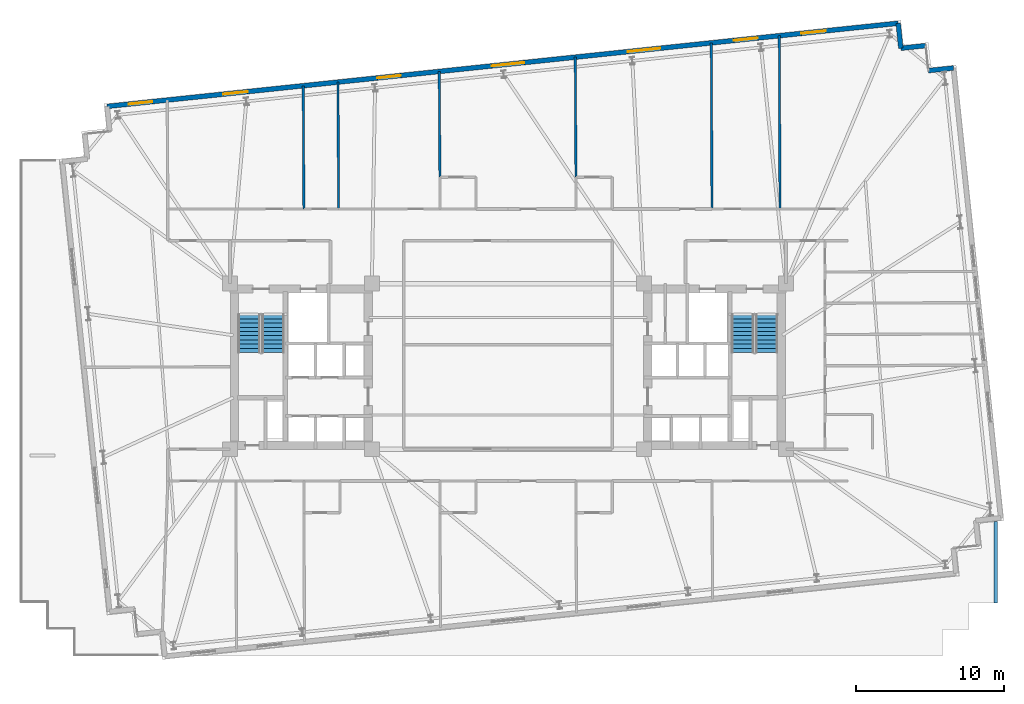
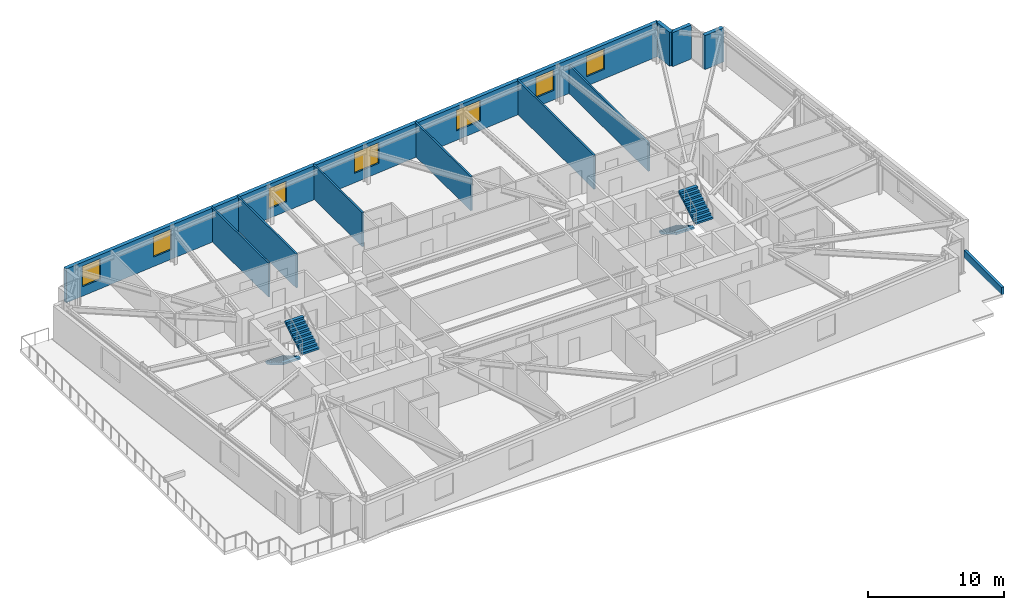
# One storey, part 16 of 20: 11 walls, 7 windows, 4 stair flights, 7 openings, 2 elements without a shape of their own.
"""IFC4 building model written with IfcOpenShell, lengths in metres."""

from ifc_helpers import new_model, si_unit, direction, frame, frame_2d, origin, place, context, subcontext, project, spatial, polyline, rectangle, outline, extrude, material, layer, layer_set, type_object, element, fill, aggregate, save


model = new_model("IFC4")

# Units and contexts
model_context = context("Model", 3, precision=1e-05, world=origin(), true_north=direction((0.0, 1.0)))
body_context = subcontext(model_context, "Body", "Model", "MODEL_VIEW")
ifc_project = project(units=[si_unit("LENGTHUNIT", "METRE"), si_unit("AREAUNIT", "SQUARE_METRE"), si_unit("VOLUMEUNIT", "CUBIC_METRE"), si_unit("PLANEANGLEUNIT", "RADIAN"), si_unit("MASSUNIT", "GRAM", prefix="KILO")], contexts=[model_context])

# Site, building, storey
site_placement = place(None, origin())
site = spatial("IfcSite", under=ifc_project, at=site_placement, CompositionType="ELEMENT")
building_placement = place(site_placement, origin())
building = spatial("IfcBuilding", under=site, at=building_placement, Name="Qobustan Lattice House", CompositionType="ELEMENT")
storey_placement = place(building_placement, frame((0.0, 0.0, 79.0)))
storey = spatial("IfcBuildingStorey", under=building, at=storey_placement, Name="L21", CompositionType="ELEMENT", Elevation=79.0)

# Wall, openings, windows
ifc_material_1 = material(Name="Precast concrete C40/50", Category="concrete")
ifc_layer_1 = layer(ifc_material_1, 0.320068359375)
ifc_layer_set_1 = layer_set([ifc_layer_1], Name="Precast concrete C40/50")
wall_type_1 = type_object("IfcWallType", Name="WAL-EXT-STONE-320", PredefinedType="SOLIDWALL", material=ifc_layer_set_1)
wall_1_placement = place(storey_placement, frame((-27.107421875, 17.585693359375, 0.0), z_axis=(0.0, 0.0, 1.0), x_axis=(0.994521628355, 0.104531003701, 0.0)))
wall_1 = element("IfcWall", 1, at=wall_1_placement, inside=storey, type_object=wall_type_1, Name="L21 exterior limestone-clad wall 10", PredefinedType="SOLIDWALL", context=body_context, shape_type="SweptSolid", body=[
    extrude(rectangle(XDim=53.800048828125, YDim=0.320068359375, at=frame_2d((26.89990234375, 0.0))), origin(), (0.0, 0.0, 1.0), 3.044921875),
])
opening_1_placement = place(wall_1_placement, frame((1.481689453125, 0.0, 0.85009765625)))
opening_1 = element("IfcOpeningElement", 2, at=opening_1_placement, cuts=wall_1, Name="Opening WN-13", PredefinedType="OPENING", context=body_context, shape_type="SweptSolid", body=[
    extrude(rectangle(XDim=1.60009765625, YDim=1.85009765625, at=frame_2d((0.800048828125, 0.925048828125))), frame((0.0, 0.169921875, 0.0), z_axis=(0.0, -1.0, 0.0), x_axis=(1.0, 0.0, 0.0)), (0.0, 0.0, 1.0), 0.340087890625),
])
opening_2_placement = place(wall_1_placement, frame((7.901611328125, 0.0, 0.85009765625)))
opening_2 = element("IfcOpeningElement", 3, at=opening_2_placement, cuts=wall_1, Name="Opening WN-09", PredefinedType="OPENING", context=body_context, shape_type="SweptSolid", body=[
    extrude(rectangle(XDim=1.64990234375, YDim=1.85009765625, at=frame_2d((0.824951171875, 0.925048828125))), frame((0.0, 0.169921875, 0.0), z_axis=(0.0, -1.0, 0.0), x_axis=(1.0, 0.0, 0.0)), (0.0, 0.0, 1.0), 0.340087890625),
])
opening_3_placement = place(wall_1_placement, frame((18.374267578125, 0.0, 0.85009765625)))
opening_3 = element("IfcOpeningElement", 4, at=opening_3_placement, cuts=wall_1, Name="Opening WN-13", PredefinedType="OPENING", context=body_context, shape_type="SweptSolid", body=[
    extrude(rectangle(XDim=1.60009765625, YDim=1.85009765625, at=frame_2d((0.800048828125, 0.925048828125))), frame((0.0, 0.169921875, 0.0), z_axis=(0.0, -1.0, 0.0), x_axis=(1.0, 0.0, 0.0)), (0.0, 0.0, 1.0), 0.340087890625),
])
opening_4_placement = place(wall_1_placement, frame((26.160400390625, 0.0, 0.85009765625)))
opening_4 = element("IfcOpeningElement", 5, at=opening_4_placement, cuts=wall_1, Name="Opening WN-03", PredefinedType="OPENING", context=body_context, shape_type="SweptSolid", body=[
    extrude(rectangle(XDim=2.199951171875, YDim=1.85009765625, at=frame_2d((1.10009765625, 0.925048828125))), frame((0.0, 0.169921875, 0.0), z_axis=(0.0, -1.0, 0.0), x_axis=(1.0, 0.0, 0.0)), (0.0, 0.0, 1.0), 0.340087890625),
])
opening_5_placement = place(wall_1_placement, frame((35.4072265625, 0.0, 0.85009765625)))
opening_5 = element("IfcOpeningElement", 6, at=opening_5_placement, cuts=wall_1, Name="Opening WN-03", PredefinedType="OPENING", context=body_context, shape_type="SweptSolid", body=[
    extrude(rectangle(XDim=2.199951171875, YDim=1.85009765625, at=frame_2d((1.10009765625, 0.925048828125))), frame((0.0, 0.169921875, 0.0), z_axis=(0.0, -1.0, 0.0), x_axis=(1.0, 0.0, 0.0)), (0.0, 0.0, 1.0), 0.340087890625),
])
opening_6_placement = place(wall_1_placement, frame((42.607421875, 0.0, 0.85009765625)))
opening_6 = element("IfcOpeningElement", 7, at=opening_6_placement, cuts=wall_1, Name="Opening WN-09", PredefinedType="OPENING", context=body_context, shape_type="SweptSolid", body=[
    extrude(rectangle(XDim=1.64990234375, YDim=1.85009765625, at=frame_2d((0.824951171875, 0.925048828125))), frame((0.0, 0.169921875, 0.0), z_axis=(0.0, -1.0, 0.0), x_axis=(1.0, 0.0, 0.0)), (0.0, 0.0, 1.0), 0.340087890625),
])
opening_7_placement = place(wall_1_placement, frame((47.210693359375, 0.0, 0.85009765625)))
opening_7 = element("IfcOpeningElement", 8, at=opening_7_placement, cuts=wall_1, Name="Opening WN-09", PredefinedType="OPENING", context=body_context, shape_type="SweptSolid", body=[
    extrude(rectangle(XDim=1.64990234375, YDim=1.85009765625, at=frame_2d((0.824951171875, 0.925048828125))), frame((0.0, 0.169921875, 0.0), z_axis=(0.0, -1.0, 0.0), x_axis=(1.0, 0.0, 0.0)), (0.0, 0.0, 1.0), 0.340087890625),
])
ifc_material_2 = material(Name="Double-glazed low-E aluminium window", Category="aluminium")
window_type_1 = type_object("IfcWindowType", Name="WIN-BED-1600x1850", PartitioningType="SINGLE_PANEL", PredefinedType="WINDOW", material=ifc_material_2)
window_1_placement = place(opening_1_placement, origin())
window_1 = element("IfcWindow", 9, at=window_1_placement, inside=storey, type_object=window_type_1, Name="L21 Spiral terrace north lounge window", OverallHeight=1.85009765625, OverallWidth=1.60009765625, PartitioningType="SINGLE_PANEL", PredefinedType="WINDOW", context=body_context, shape_type="SweptSolid", body=[
    extrude(rectangle(XDim=1.60009765625, YDim=1.85009765625, at=frame_2d((0.800048828125, 0.925048828125))), frame((0.0, 0.030029296875, 0.0), z_axis=(0.0, -1.0, 0.0), x_axis=(1.0, 0.0, 0.0)), (0.0, 0.0, 1.0), 0.06005859375),
])
fill(opening_1, window_1)
window_2_placement = place(opening_3_placement, origin())
window_2 = element("IfcWindow", 10, at=window_2_placement, inside=storey, type_object=window_type_1, Name="L21 Laundry utility room window", OverallHeight=1.85009765625, OverallWidth=1.60009765625, PartitioningType="SINGLE_PANEL", PredefinedType="WINDOW", context=body_context, shape_type="SweptSolid", body=[
    extrude(rectangle(XDim=1.60009765625, YDim=1.85009765625, at=frame_2d((0.800048828125, 0.925048828125))), frame((0.0, 0.030029296875, 0.0), z_axis=(0.0, -1.0, 0.0), x_axis=(1.0, 0.0, 0.0)), (0.0, 0.0, 1.0), 0.06005859375),
])
fill(opening_3, window_2)
ifc_material_3 = material(Name="Double-glazed low-E aluminium window", Category="aluminium")
window_type_2 = type_object("IfcWindowType", Name="WIN-STU-1650x1850", PartitioningType="SINGLE_PANEL", PredefinedType="WINDOW", material=ifc_material_3)
window_3_placement = place(opening_2_placement, origin())
window_3 = element("IfcWindow", 11, at=window_3_placement, inside=storey, type_object=window_type_2, Name="L21 Focus study room N1 window", OverallHeight=1.85009765625, OverallWidth=1.64990234375, PartitioningType="SINGLE_PANEL", PredefinedType="WINDOW", context=body_context, shape_type="SweptSolid", body=[
    extrude(rectangle(XDim=1.64990234375, YDim=1.85009765625, at=frame_2d((0.824951171875, 0.925048828125))), frame((0.0, 0.030029296875, 0.0), z_axis=(0.0, -1.0, 0.0), x_axis=(1.0, 0.0, 0.0)), (0.0, 0.0, 1.0), 0.06005859375),
])
fill(opening_2, window_3)
window_4_placement = place(opening_6_placement, origin())
window_4 = element("IfcWindow", 12, at=window_4_placement, inside=storey, type_object=window_type_2, Name="L21 Focus study room N5A window", OverallHeight=1.85009765625, OverallWidth=1.64990234375, PartitioningType="SINGLE_PANEL", PredefinedType="WINDOW", context=body_context, shape_type="SweptSolid", body=[
    extrude(rectangle(XDim=1.64990234375, YDim=1.85009765625, at=frame_2d((0.824951171875, 0.925048828125))), frame((0.0, 0.030029296875, 0.0), z_axis=(0.0, -1.0, 0.0), x_axis=(1.0, 0.0, 0.0)), (0.0, 0.0, 1.0), 0.06005859375),
])
fill(opening_6, window_4)
window_5_placement = place(opening_7_placement, origin())
window_5 = element("IfcWindow", 13, at=window_5_placement, inside=storey, type_object=window_type_2, Name="L21 Focus study room N5B window", OverallHeight=1.85009765625, OverallWidth=1.64990234375, PartitioningType="SINGLE_PANEL", PredefinedType="WINDOW", context=body_context, shape_type="SweptSolid", body=[
    extrude(rectangle(XDim=1.64990234375, YDim=1.85009765625, at=frame_2d((0.824951171875, 0.925048828125))), frame((0.0, 0.030029296875, 0.0), z_axis=(0.0, -1.0, 0.0), x_axis=(1.0, 0.0, 0.0)), (0.0, 0.0, 1.0), 0.06005859375),
])
fill(opening_7, window_5)
ifc_material_4 = material(Name="Double-glazed low-E aluminium window", Category="aluminium")
window_type_3 = type_object("IfcWindowType", Name="WIN-WIDE-2200x1850", PartitioningType="SINGLE_PANEL", PredefinedType="WINDOW", material=ifc_material_4)
window_6_placement = place(opening_4_placement, origin())
window_6 = element("IfcWindow", 14, at=window_6_placement, inside=storey, type_object=window_type_3, Name="L21 Kitchenette and studio apartment L21-N3 window", OverallHeight=1.85009765625, OverallWidth=2.199951171875, PartitioningType="SINGLE_PANEL", PredefinedType="WINDOW", context=body_context, shape_type="SweptSolid", body=[
    extrude(rectangle(XDim=2.199951171875, YDim=1.85009765625, at=frame_2d((1.10009765625, 0.925048828125))), frame((0.0, 0.030029296875, 0.0), z_axis=(0.0, -1.0, 0.0), x_axis=(1.0, 0.0, 0.0)), (0.0, 0.0, 1.0), 0.06005859375),
])
fill(opening_4, window_6)
window_7_placement = place(opening_5_placement, origin())
window_7 = element("IfcWindow", 15, at=window_7_placement, inside=storey, type_object=window_type_3, Name="L21 Kitchenette and studio apartment L21-N4 window", OverallHeight=1.85009765625, OverallWidth=2.199951171875, PartitioningType="SINGLE_PANEL", PredefinedType="WINDOW", context=body_context, shape_type="SweptSolid", body=[
    extrude(rectangle(XDim=2.199951171875, YDim=1.85009765625, at=frame_2d((1.10009765625, 0.925048828125))), frame((0.0, 0.030029296875, 0.0), z_axis=(0.0, -1.0, 0.0), x_axis=(1.0, 0.0, 0.0)), (0.0, 0.0, 1.0), 0.06005859375),
])
fill(opening_5, window_7)

# Walls
for number, where, z_axis, x_axis, name in (
    (16, (26.39794921875, 23.20947265625, 0.0), (0.0, 0.0, 1.0), (0.104550220202, -0.994519608382, 0.0), "L21 exterior limestone-clad wall 11"),
    (17, (26.57568359375, 21.518798828125, 0.0), (0.0, 0.0, 1.0), (0.994534530939, 0.104408173862, 0.0), "L21 exterior limestone-clad wall 12"),
    (18, (28.444091796875, 20.005615234375, 0.0), (0.0, 0.0, 1.0), (0.994519608382, 0.104550220202, 0.0), "L21 exterior limestone-clad wall 14"),
):
    element("IfcWall", number, at=place(storey_placement, frame(where, z_axis=z_axis, x_axis=x_axis)), inside=storey, type_object=wall_type_1, Name=name, PredefinedType="SOLIDWALL", context=body_context, shape_type="SweptSolid", body=[
        extrude(rectangle(XDim=1.699951171875, YDim=0.320068359375, at=frame_2d((0.85009765625, 0.0))), origin(), (0.0, 0.0, 1.0), 3.044921875),
    ])
ifc_material_5 = material(Name="Precast concrete C40/50", Category="concrete")
ifc_layer_2 = layer(ifc_material_5, 0.219970703125)
ifc_layer_set_2 = layer_set([ifc_layer_2], Name="Precast concrete C40/50")
wall_type_2 = type_object("IfcWallType", Name="WAL-PARAPET-220", PredefinedType="PARAPET", material=ifc_layer_set_2)
wall_2_placement = place(storey_placement, frame((33.0, -16.0, 0.0), z_axis=(0.0, 0.0, 1.0), x_axis=(0.0, 1.0, 0.0)))
element("IfcWall", 19, at=wall_2_placement, inside=storey, type_object=wall_type_2, Name="L21 maintenance roof parapet 1", PredefinedType="PARAPET", context=body_context, shape_type="SweptSolid", body=[
    extrude(rectangle(XDim=5.514892578125, YDim=0.219970703125, at=frame_2d((2.75732421875, 0.0))), origin(), (0.0, 0.0, 1.0), 0.64990234375),
])
ifc_material_6 = material(Name="Acoustic twin-stud gypsum partition", Category="gypsum")
ifc_layer_3 = layer(ifc_material_6, 0.14990234375)
ifc_layer_set_3 = layer_set([ifc_layer_3], Name="Acoustic twin-stud gypsum partition")
wall_type_3 = type_object("IfcWallType", Name="WAL-PART-150", PredefinedType="PARTITIONING", material=ifc_layer_set_3)
wall_3_placement = place(storey_placement, frame((-4.643798828125, 19.94677734375, 0.0), z_axis=(0.0, 0.0, 1.0), x_axis=(0.006114735543, -0.99998130483, 0.0)))
element("IfcWall", 20, at=wall_3_placement, inside=storey, type_object=wall_type_3, Name="L21 interior partition 89", PredefinedType="PARTITIONING", context=body_context, shape_type="SweptSolid", body=[
    extrude(rectangle(XDim=7.14697265625, YDim=0.14990234375, at=frame_2d((3.573486328125, 0.0))), origin(), (0.0, 0.0, 1.0), 3.044921875),
])
wall_4_placement = place(storey_placement, frame((4.55615234375, 20.913818359375, 0.0), z_axis=(0.0, 0.0, 1.0), x_axis=(0.005416060659, -0.999985333036, 0.0)))
element("IfcWall", 21, at=wall_4_placement, inside=storey, type_object=wall_type_3, Name="L21 interior partition 93", PredefinedType="PARTITIONING", context=body_context, shape_type="SweptSolid", body=[
    extrude(rectangle(XDim=8.11376953125, YDim=0.14990234375, at=frame_2d((4.056884765625, 0.0))), origin(), (0.0, 0.0, 1.0), 3.044921875),
])
wall_5_placement = place(storey_placement, frame((13.756103515625, 21.880615234375, 0.0), z_axis=(0.0, 0.0, 1.0), x_axis=(0.003912928458, -0.999992344466, 0.0)))
element("IfcWall", 22, at=wall_5_placement, inside=storey, type_object=wall_type_3, Name="L21 interior partition 97", PredefinedType="PARTITIONING", context=body_context, shape_type="SweptSolid", body=[
    extrude(rectangle(XDim=11.230712890625, YDim=0.14990234375, at=frame_2d((5.615234375, 0.0))), origin(), (0.0, 0.0, 1.0), 3.044921875),
])
wall_6_placement = place(storey_placement, frame((18.356201171875, 22.364013671875, 0.0), z_axis=(0.0, 0.0, 1.0), x_axis=(0.003730617419, -0.999993041223, 0.0)))
element("IfcWall", 23, at=wall_6_placement, inside=storey, type_object=wall_type_3, Name="L21 interior partition 98", PredefinedType="PARTITIONING", context=body_context, shape_type="SweptSolid", body=[
    extrude(rectangle(XDim=11.714111328125, YDim=0.14990234375, at=frame_2d((5.85693359375, 0.0))), origin(), (0.0, 0.0, 1.0), 2.530029296875),
])
ifc_material_7 = material(Name="Moisture-resistant acoustic plumbing wall", Category="gypsum")
ifc_layer_4 = layer(ifc_material_7, 0.14990234375)
ifc_layer_set_4 = layer_set([ifc_layer_4], Name="Moisture-resistant acoustic plumbing wall")
wall_type_4 = type_object("IfcWallType", Name="WAL-WET-150", PredefinedType="PLUMBINGWALL", material=ifc_layer_set_4)
wall_7_placement = place(storey_placement, frame((-13.843994140625, 18.979736328125, 0.0), z_axis=(0.0, 0.0, 1.0), x_axis=(0.005275579446, -0.999986084034, 0.0)))
element("IfcWall", 24, at=wall_7_placement, inside=storey, type_object=wall_type_4, Name="L21 interior partition 87", PredefinedType="PLUMBINGWALL", context=body_context, shape_type="SweptSolid", body=[
    extrude(rectangle(XDim=8.329833984375, YDim=0.14990234375, at=frame_2d((4.1650390625, 0.0))), origin(), (0.0, 0.0, 1.0), 3.044921875),
])
wall_8_placement = place(storey_placement, frame((-11.493896484375, 19.226806640625, 0.0), z_axis=(0.0, 0.0, 1.0), x_axis=(0.005123612688, -0.99998687421, 0.0)))
element("IfcWall", 25, at=wall_8_placement, inside=storey, type_object=wall_type_4, Name="L21 interior partition 88", PredefinedType="PLUMBINGWALL", context=body_context, shape_type="SweptSolid", body=[
    extrude(rectangle(XDim=8.576904296875, YDim=0.14990234375, at=frame_2d((4.28857421875, 0.0))), origin(), (0.0, 0.0, 1.0), 3.044921875),
])

# Stair, stair flights
ifc_material_8 = material(Name="Concrete C40/50", Category="concrete")
stair_type = type_object("IfcStairType", Name="STR-CORE-DOGLEG", PredefinedType="HALF_TURN_STAIR", material=ifc_material_8)
stair_1_placement = place(storey_placement, origin())
stair_1 = element("IfcStair", 26, at=stair_1_placement, inside=storey, type_object=stair_type, Name="L21 West protected exit stair ST-W1", PredefinedType="HALF_TURN_STAIR")
ifc_material_9 = material(Name="Concrete C40/50", Category="concrete")
stair_flight_type = type_object("IfcStairFlightType", Name="SFL-RC-1500", PredefinedType="STRAIGHT", material=ifc_material_9)
stair_flight_1_placement = place(storey_placement, frame((-17.5, 3.5, 0.0), z_axis=(0.0, 0.0, 1.0), x_axis=(0.0, -1.0, 0.0)))
stair_flight_1 = element("IfcStairFlight", 27, at=stair_flight_1_placement, type_object=stair_flight_type, Name="ST-W1 flight 1", NumberOfRisers=10, NumberOfTreads=9, PredefinedType="STRAIGHT", RiserHeight=0.1675, TreadLength=0.285, context=body_context, shape_type="SweptSolid", body=[
    extrude(outline(polyline([(0.0, 0.0), (0.0, 0.16748046875), (0.284912109375, 0.16748046875), (0.284912109375, 0.3349609375), (0.570068359375, 0.3349609375), (0.570068359375, 0.50244140625), (0.85498046875, 0.50244140625), (0.85498046875, 0.669921875), (1.139892578125, 0.669921875), (1.139892578125, 0.83740234375), (1.425048828125, 0.83740234375), (1.425048828125, 1.0048828125), (1.7099609375, 1.0048828125), (1.7099609375, 1.172607421875), (1.9951171875, 1.172607421875), (1.9951171875, 1.340087890625), (2.280029296875, 1.340087890625), (2.280029296875, 1.507568359375), (2.56494140625, 1.507568359375), (2.56494140625, 1.675048828125), (2.56494140625, 1.333740234375), (0.2958984375, 0.0), (0.0, 0.0)])), frame((0.0, 0.75, 0.0), z_axis=(0.0, -1.0, 0.0), x_axis=(1.0, 0.0, 0.0)), (0.0, 0.0, 1.0), 1.5),
])
stair_flight_2_placement = place(storey_placement, frame((-15.8798828125, 0.93505859375, 1.675048828125), z_axis=(0.0, 0.0, 1.0), x_axis=(0.0, 1.0, 0.0)))
stair_flight_2 = element("IfcStairFlight", 28, at=stair_flight_2_placement, type_object=stair_flight_type, Name="ST-W1 flight 2", NumberOfRisers=10, NumberOfTreads=9, PredefinedType="STRAIGHT", RiserHeight=0.1675, TreadLength=0.285, context=body_context, shape_type="SweptSolid", body=[
    extrude(outline(polyline([(0.0, 0.0), (0.0, 0.16748046875), (0.284912109375, 0.16748046875), (0.284912109375, 0.3349609375), (0.570068359375, 0.3349609375), (0.570068359375, 0.50244140625), (0.85498046875, 0.50244140625), (0.85498046875, 0.669921875), (1.139892578125, 0.669921875), (1.139892578125, 0.83740234375), (1.425048828125, 0.83740234375), (1.425048828125, 1.0048828125), (1.7099609375, 1.0048828125), (1.7099609375, 1.172607421875), (1.9951171875, 1.172607421875), (1.9951171875, 1.340087890625), (2.280029296875, 1.340087890625), (2.280029296875, 1.507568359375), (2.56494140625, 1.507568359375), (2.56494140625, 1.675048828125), (2.56494140625, 1.333740234375), (0.2958984375, 0.0), (0.0, 0.0)])), frame((0.0, 0.75, 0.0), z_axis=(0.0, -1.0, 0.0), x_axis=(1.0, 0.0, 0.0)), (0.0, 0.0, 1.0), 1.5),
])
aggregate(stair_1, [stair_flight_1, stair_flight_2])

stair_2_placement = place(storey_placement, origin())
stair_2 = element("IfcStair", 29, at=stair_2_placement, inside=storey, type_object=stair_type, Name="L21 East protected exit stair ST-E1", PredefinedType="HALF_TURN_STAIR")
stair_flight_3_placement = place(storey_placement, frame((15.8798828125, 3.5, 0.0), z_axis=(0.0, 0.0, 1.0), x_axis=(0.0, -1.0, 0.0)))
stair_flight_3 = element("IfcStairFlight", 30, at=stair_flight_3_placement, type_object=stair_flight_type, Name="ST-E1 flight 1", NumberOfRisers=10, NumberOfTreads=9, PredefinedType="STRAIGHT", RiserHeight=0.1675, TreadLength=0.285, context=body_context, shape_type="SweptSolid", body=[
    extrude(outline(polyline([(0.0, 0.0), (0.0, 0.16748046875), (0.284912109375, 0.16748046875), (0.284912109375, 0.3349609375), (0.570068359375, 0.3349609375), (0.570068359375, 0.50244140625), (0.85498046875, 0.50244140625), (0.85498046875, 0.669921875), (1.139892578125, 0.669921875), (1.139892578125, 0.83740234375), (1.425048828125, 0.83740234375), (1.425048828125, 1.0048828125), (1.7099609375, 1.0048828125), (1.7099609375, 1.172607421875), (1.9951171875, 1.172607421875), (1.9951171875, 1.340087890625), (2.280029296875, 1.340087890625), (2.280029296875, 1.507568359375), (2.56494140625, 1.507568359375), (2.56494140625, 1.675048828125), (2.56494140625, 1.333740234375), (0.2958984375, 0.0), (0.0, 0.0)])), frame((0.0, 0.75, 0.0), z_axis=(0.0, -1.0, 0.0), x_axis=(1.0, 0.0, 0.0)), (0.0, 0.0, 1.0), 1.5),
])
stair_flight_4_placement = place(storey_placement, frame((17.5, 0.93505859375, 1.675048828125), z_axis=(0.0, 0.0, 1.0), x_axis=(0.0, 1.0, 0.0)))
stair_flight_4 = element("IfcStairFlight", 31, at=stair_flight_4_placement, type_object=stair_flight_type, Name="ST-E1 flight 2", NumberOfRisers=10, NumberOfTreads=9, PredefinedType="STRAIGHT", RiserHeight=0.1675, TreadLength=0.285, context=body_context, shape_type="SweptSolid", body=[
    extrude(outline(polyline([(0.0, 0.0), (0.0, 0.16748046875), (0.284912109375, 0.16748046875), (0.284912109375, 0.3349609375), (0.570068359375, 0.3349609375), (0.570068359375, 0.50244140625), (0.85498046875, 0.50244140625), (0.85498046875, 0.669921875), (1.139892578125, 0.669921875), (1.139892578125, 0.83740234375), (1.425048828125, 0.83740234375), (1.425048828125, 1.0048828125), (1.7099609375, 1.0048828125), (1.7099609375, 1.172607421875), (1.9951171875, 1.172607421875), (1.9951171875, 1.340087890625), (2.280029296875, 1.340087890625), (2.280029296875, 1.507568359375), (2.56494140625, 1.507568359375), (2.56494140625, 1.675048828125), (2.56494140625, 1.333740234375), (0.2958984375, 0.0), (0.0, 0.0)])), frame((0.0, 0.75, 0.0), z_axis=(0.0, -1.0, 0.0), x_axis=(1.0, 0.0, 0.0)), (0.0, 0.0, 1.0), 1.5),
])
aggregate(stair_2, [stair_flight_3, stair_flight_4])

save(model, "model.ifc")
